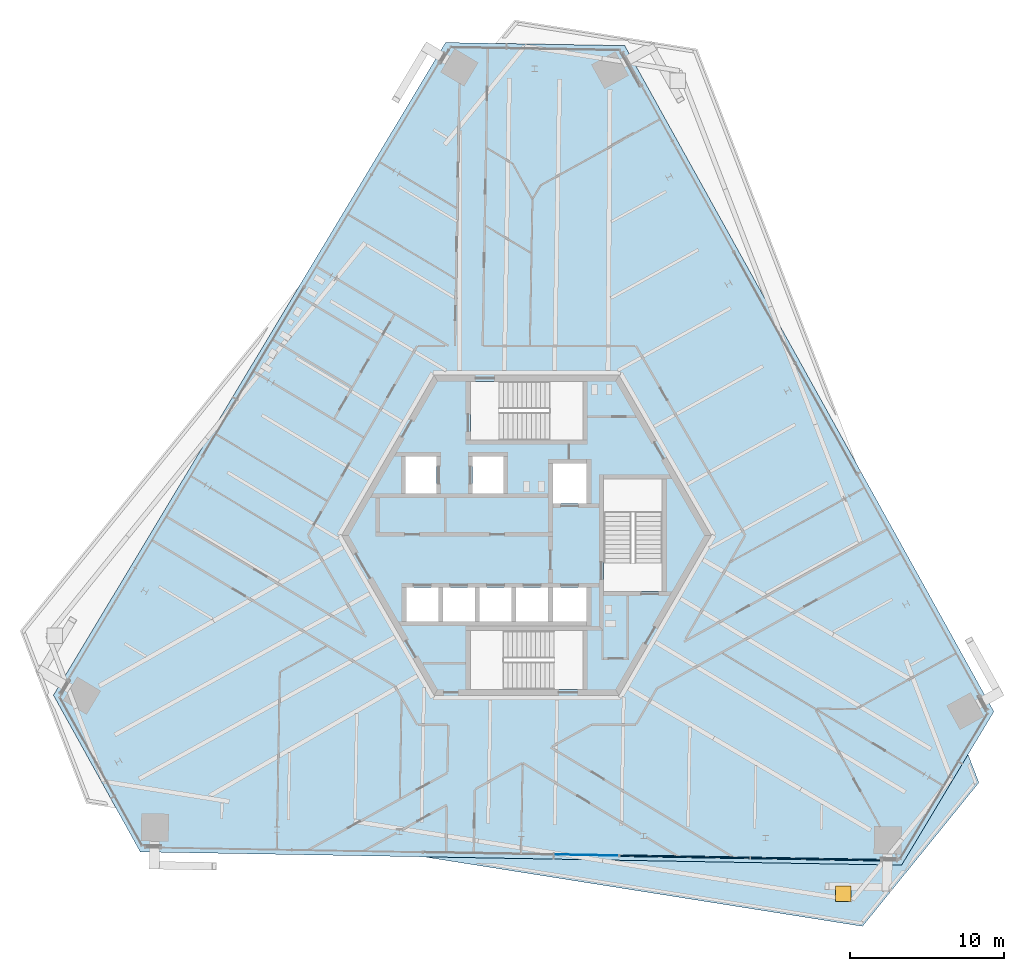
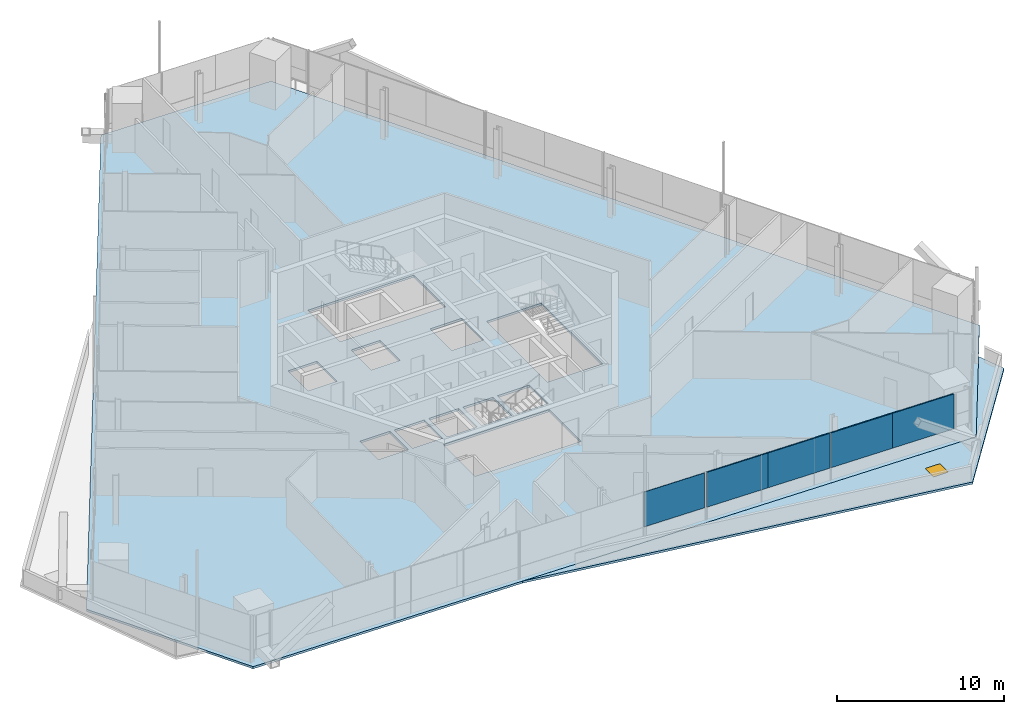
# One storey, part 11 of 22: 5 plates, 2 slabs, 1 door, 1 opening, 2 elements without a shape of their own.
"""IFC4 building model written with IfcOpenShell, lengths in metres."""

from ifc_helpers import new_model, si_unit, direction, frame, origin, origin_2d, place, context, subcontext, project, spatial, polyline, rectangle, outline, extrude, source, transform, mapped, material, layer, layer_set, type_object, element, fill, aggregate, save


model = new_model("IFC4")

# Units and contexts
model_context = context("Model", 3, precision=1e-05, world=origin(), true_north=direction((0.0, 1.0)))
body_context = subcontext(model_context, "Body", "Model", "MODEL_VIEW")
ifc_project = project(units=[si_unit("LENGTHUNIT", "METRE"), si_unit("AREAUNIT", "SQUARE_METRE"), si_unit("VOLUMEUNIT", "CUBIC_METRE"), si_unit("PLANEANGLEUNIT", "RADIAN"), si_unit("MASSUNIT", "GRAM", prefix="KILO")], contexts=[model_context])

# Site, building, storey
site_placement = place(None, origin())
site = spatial("IfcSite", under=ifc_project, at=site_placement, CompositionType="ELEMENT")
building_placement = place(site_placement, origin())
building = spatial("IfcBuilding", under=site, at=building_placement, Name="Triune Harvest Tower", CompositionType="ELEMENT")
storey_placement = place(building_placement, frame((0.0, 0.0, 179.89990234375)))
storey = spatial("IfcBuildingStorey", under=building, at=storey_placement, Name="L46", CompositionType="ELEMENT", Elevation=179.89990234375)

# Slab, opening, door
ifc_material_1 = material(Name="Concrete 40 MPa", Category="concrete")
ifc_layer_1 = layer(ifc_material_1, 0.159912109375)
ifc_layer_set_1 = layer_set([ifc_layer_1], Name="Concrete 40 MPa")
slab_type_1 = type_object("IfcSlabType", Name="WR-1 Wedge roof slab 160", PredefinedType="ROOF", material=ifc_layer_set_1)
slab_1_placement = place(storey_placement, frame((0.0, 0.0, -0.159912109375)))
slab_1 = element("IfcSlab", 1, at=slab_1_placement, inside=storey, type_object=slab_type_1, Name="Wedge roof slab L45 3", PredefinedType="ROOF", context=body_context, shape_type="SweptSolid", body=[
    extrude(outline(polyline([(29.35107421875, -16.04736328125), (28.6513671875, -14.22509765625), (24.3369140625, -21.405517578125), (-6.669677734375, -20.8642578125), (21.799072265625, -25.373291015625), (29.35107421875, -16.04736328125)])), origin(), (0.0, 0.0, 1.0), 0.159912109375),
])
opening_placement = place(slab_1_placement, frame((20.55810546875, -23.246337890625, 0.0)))
opening = element("IfcOpeningElement", 2, at=opening_placement, cuts=slab_1, Name="Opening RH-L45.1", PredefinedType="OPENING", context=body_context, shape_type="SweptSolid", body=[
    extrude(rectangle(XDim=1.0, YDim=1.0, at=origin_2d()), origin(), (0.0, 0.0, 1.0), 0.159912109375),
])
ifc_material_2 = material(Name="Aluminium bronze anodised", Category="aluminium")
door_type = type_object("IfcDoorType", Name="RH-1 roof hatch 1000 x 1000", OperationType="SINGLE_SWING_LEFT", PredefinedType="TRAPDOOR", material=ifc_material_2)
door_placement = place(opening_placement, frame((0.0, 0.0, 0.10986328125)))
door = element("IfcDoor", 3, at=door_placement, inside=storey, type_object=door_type, Name="Roof hatch L45.1", OperationType="SINGLE_SWING_LEFT", OverallHeight=1.0, OverallWidth=1.0, PredefinedType="TRAPDOOR", context=body_context, shape_type="SweptSolid", body=[
    extrude(rectangle(XDim=1.0, YDim=1.0, at=origin_2d()), origin(), (0.0, 0.0, 1.0), 0.050048828125),
])
fill(opening, door)

# Slab
ifc_material_3 = material(Name="Concrete 40 MPa", Category="concrete")
ifc_layer_2 = layer(ifc_material_3, 0.159912109375)
ifc_layer_set_2 = layer_set([ifc_layer_2], Name="Concrete 40 MPa")
slab_type_2 = type_object("IfcSlabType", Name="SL-1 Composite floor slab 160", PredefinedType="FLOOR", material=ifc_layer_set_2)
shared_shape_1 = source(origin(), body_context, "Body", "SweptSolid", [
    extrude(outline(polyline([(30.324951171875, -11.439208984375), (6.368896484375, 31.77880859375), (-5.256103515625, 31.981689453125), (-30.705810546875, -10.373779296875), (-25.069091796875, -20.542724609375), (24.3369140625, -21.405029296875), (30.324951171875, -11.439208984375)]), holes=[polyline([(-5.72509765625, -5.590087890625), (-5.72509765625, -3.389892578125), (-7.800048828125, -3.389892578125), (-7.800048828125, -5.590087890625), (-5.72509765625, -5.590087890625)]), polyline([(-3.35009765625, -5.590087890625), (-3.35009765625, -3.389892578125), (-5.425048828125, -3.389892578125), (-5.425048828125, -5.590087890625), (-3.35009765625, -5.590087890625)]), polyline([(-0.97509765625, -5.590087890625), (-0.97509765625, -3.389892578125), (-3.050048828125, -3.389892578125), (-3.050048828125, -5.590087890625), (-0.97509765625, -5.590087890625)]), polyline([(1.39990234375, -5.590087890625), (1.39990234375, -3.389892578125), (-0.675048828125, -3.389892578125), (-0.675048828125, -5.590087890625), (1.39990234375, -5.590087890625)]), polyline([(3.89990234375, 2.06005859375), (3.89990234375, 4.659912109375), (1.699951171875, 4.659912109375), (1.699951171875, 2.06005859375), (3.89990234375, 2.06005859375)]), polyline([(3.89990234375, -5.590087890625), (3.89990234375, -3.389892578125), (1.699951171875, -3.389892578125), (1.699951171875, -5.590087890625), (3.89990234375, -5.590087890625)]), polyline([(-5.85009765625, 2.7099609375), (-5.85009765625, 5.110107421875), (-7.85009765625, 5.110107421875), (-7.85009765625, 2.7099609375), (-5.85009765625, 2.7099609375)]), polyline([(-1.5, 2.7099609375), (-1.5, 5.110107421875), (-3.5, 5.110107421875), (-3.5, 2.7099609375), (-1.5, 2.7099609375)]), polyline([(3.64990234375, 6.18994140625), (3.64990234375, 9.989990234375), (-3.64990234375, 9.989990234375), (-3.64990234375, 6.18994140625), (3.64990234375, 6.18994140625)]), polyline([(3.64990234375, -9.989990234375), (3.64990234375, -6.18994140625), (-3.64990234375, -6.18994140625), (-3.64990234375, -9.989990234375), (3.64990234375, -9.989990234375)]), polyline([(8.800048828125, -3.64990234375), (8.800048828125, 3.64990234375), (5.0, 3.64990234375), (5.0, -3.64990234375), (8.800048828125, -3.64990234375)])]), origin(), (0.0, 0.0, 1.0), 0.159912109375),
])
slab_2_placement = place(storey_placement, frame((0.0, 0.0, -0.159912109375)))
element("IfcSlab", 4, at=slab_2_placement, inside=storey, type_object=slab_type_2, Name="slab/L46/1", PredefinedType="FLOOR", context=body_context, shape_type="MappedRepresentation", body=[
    mapped(shared_shape_1, transform((0.0, 0.0, 0.0), scale=1.0)),
])

# Curtain wall, plates
ifc_material_4 = material(Name="Aluminium bronze anodised", Category="aluminium")
curtain_wall_type_1 = type_object("IfcCurtainWallType", Name="CW-7 Tower stick curtain wall with insulated spandrel infill", PredefinedType="NOTDEFINED", material=ifc_material_4)
curtain_wall_1_placement = place(storey_placement, origin())
curtain_wall_1 = element("IfcCurtainWall", 5, at=curtain_wall_1_placement, inside=storey, type_object=curtain_wall_type_1, Name="CW-7 B5-F5 L46 run 2101")
ifc_material_5 = material(Name="Insulated spandrel panel, bronze aluminium pan", Category="aluminium")
ifc_layer_3 = layer(ifc_material_5, 0.080078125)
ifc_layer_set_3 = layer_set([ifc_layer_3], Name="Insulated spandrel panel, bronze aluminium pan")
plate_type_1 = type_object("IfcPlateType", Name="SP-1 insulated spandrel panel 80", PredefinedType="CURTAIN_PANEL", material=ifc_layer_set_3)
shared_shape_2 = source(origin(), body_context, "Body", "SweptSolid", [
    extrude(rectangle(XDim=4.178955078125, YDim=0.080078125, at=origin_2d()), origin(), (0.0, 0.0, 1.0), 2.5400390625),
])
plate_1_placement = place(storey_placement, frame((8.18310546875, -20.822998046875, 0.900146484375), z_axis=(0.0, 0.0, 1.0), x_axis=(0.999847660811, -0.017454373979, 0.0)))
plate_1 = element("IfcPlate", 6, at=plate_1_placement, type_object=plate_type_1, Name="CW-7 panel B5-F5 2101.1", PredefinedType="CURTAIN_PANEL", context=body_context, shape_type="MappedRepresentation", body=[
    mapped(shared_shape_2, transform((0.0, 0.0, 0.0), scale=1.0)),
])
plate_2_placement = place(storey_placement, frame((20.8681640625, -21.04443359375, 0.900146484375), z_axis=(0.0, 0.0, 1.0), x_axis=(0.999847660811, -0.017454373979, 0.0)))
plate_2 = element("IfcPlate", 7, at=plate_2_placement, type_object=plate_type_1, Name="CW-7 panel B5-F5 2101.4", PredefinedType="CURTAIN_PANEL", context=body_context, shape_type="MappedRepresentation", body=[
    mapped(shared_shape_2, transform((0.0, 0.0, 0.0), scale=1.0)),
])
shared_shape_3 = source(origin(), body_context, "Body", "SweptSolid", [
    extrude(rectangle(XDim=4.216552734375, YDim=0.080078125, at=origin_2d()), origin(), (0.0, 0.0, 1.0), 2.5400390625),
])
plate_3_placement = place(storey_placement, frame((12.380126953125, -20.896240234375, 0.900146484375), z_axis=(0.0, 0.0, 1.0), x_axis=(0.999847660811, -0.017454373979, 0.0)))
plate_3 = element("IfcPlate", 8, at=plate_3_placement, type_object=plate_type_1, Name="CW-7 panel B5-F5 2101.2", PredefinedType="CURTAIN_PANEL", context=body_context, shape_type="MappedRepresentation", body=[
    mapped(shared_shape_3, transform((0.0, 0.0, 0.0), scale=1.0)),
])
plate_4_placement = place(storey_placement, frame((16.6708984375, -20.97119140625, 0.900146484375), z_axis=(0.0, 0.0, 1.0), x_axis=(0.999847660811, -0.017454373979, 0.0)))
plate_4 = element("IfcPlate", 9, at=plate_4_placement, type_object=plate_type_1, Name="CW-7 panel B5-F5 2101.3", PredefinedType="CURTAIN_PANEL", context=body_context, shape_type="MappedRepresentation", body=[
    mapped(shared_shape_3, transform((0.0, 0.0, 0.0), scale=1.0)),
])
aggregate(curtain_wall_1, [plate_1, plate_3, plate_4, plate_2])

# Curtain wall, plate
ifc_material_6 = material(Name="Aluminium bronze anodised", Category="aluminium")
curtain_wall_type_2 = type_object("IfcCurtainWallType", Name="CW-1 Tower stick curtain wall", PredefinedType="NOTDEFINED", material=ifc_material_6)
curtain_wall_2_placement = place(storey_placement, origin())
curtain_wall_2 = element("IfcCurtainWall", 10, at=curtain_wall_2_placement, inside=storey, type_object=curtain_wall_type_2, Name="CW-1 B5-F5 L46 run 1101")
ifc_material_7 = material(Name="Glass", Category="glass")
ifc_layer_4 = layer(ifc_material_7, 0.031982421875)
ifc_layer_set_4 = layer_set([ifc_layer_4], Name="Glass")
plate_type_2 = type_object("IfcPlateType", Name="GL-1 panel 32", PredefinedType="CURTAIN_PANEL", material=ifc_layer_set_4)
shared_shape_4 = source(origin(), body_context, "Body", "SweptSolid", [
    extrude(rectangle(XDim=4.141357421875, YDim=0.031982421875, at=origin_2d()), origin(), (0.0, 0.0, 1.0), 2.5400390625),
])
plate_5_placement = place(storey_placement, frame((3.87353515625, -20.747802734375, 0.900146484375), z_axis=(0.0, 0.0, 1.0), x_axis=(0.999847726792, -0.017450593962, 0.0)))
plate_5 = element("IfcPlate", 11, at=plate_5_placement, type_object=plate_type_2, Name="CW-1 panel B5-F5 1101.3", PredefinedType="CURTAIN_PANEL", context=body_context, shape_type="MappedRepresentation", body=[
    mapped(shared_shape_4, transform((0.0, 0.0, 0.0), scale=1.0)),
])
aggregate(curtain_wall_2, [plate_5])

save(model, "model.ifc")
